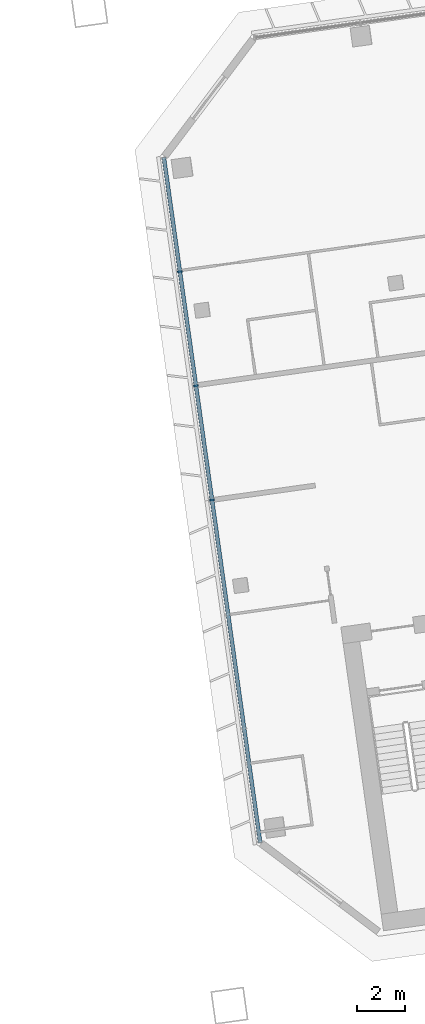
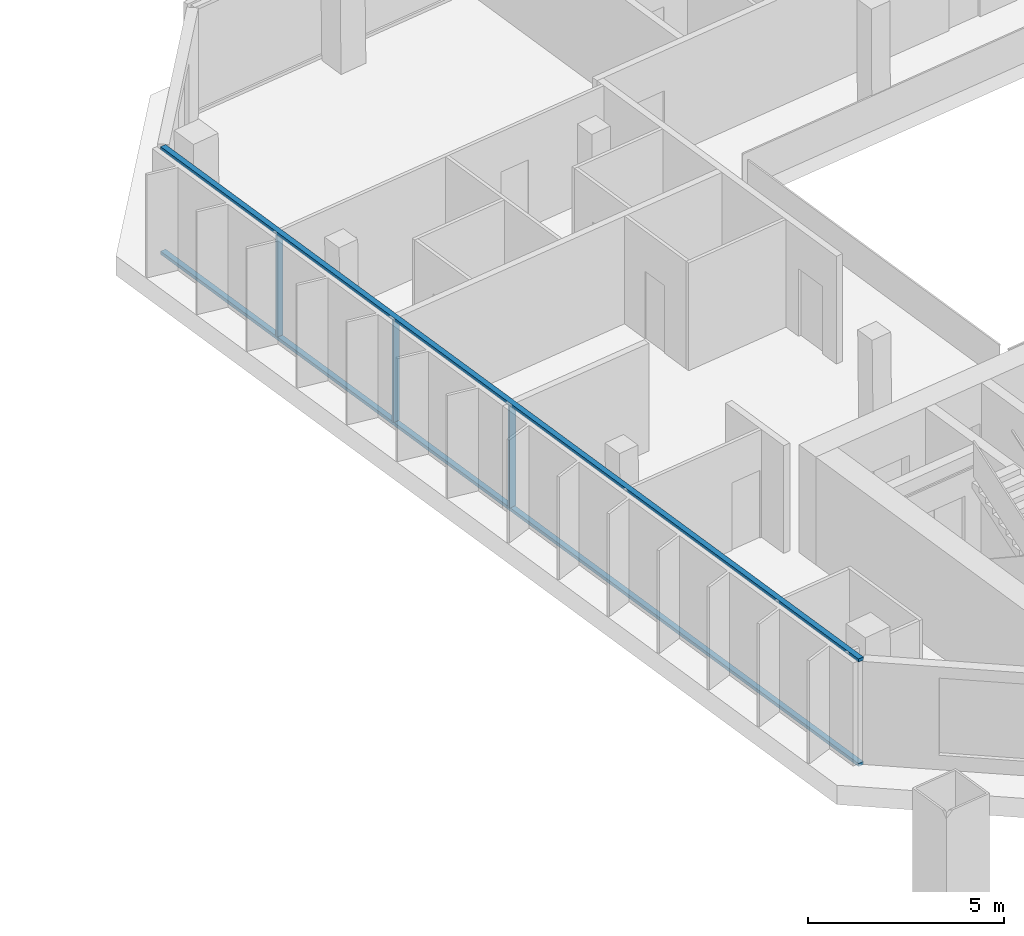
# One storey, part 8 of 31: 5 members, 1 element without a shape of its own.
"""IFC4 building model written with IfcOpenShell, lengths in metres."""

from ifc_helpers import new_model, si_unit, direction, frame, origin, origin_2d, place, context, subcontext, project, spatial, rectangle, extrude, material, material_profile, profile_set, type_object, element, aggregate, save


model = new_model("IFC4")

# Units and contexts
model_context = context("Model", 3, precision=1e-05, world=origin(), true_north=direction((0.0, 1.0)))
body_context = subcontext(model_context, "Body", "Model", "MODEL_VIEW")
ifc_project = project(units=[si_unit("LENGTHUNIT", "METRE"), si_unit("AREAUNIT", "SQUARE_METRE"), si_unit("VOLUMEUNIT", "CUBIC_METRE"), si_unit("PLANEANGLEUNIT", "RADIAN"), si_unit("MASSUNIT", "GRAM", prefix="KILO")], contexts=[model_context])

# Site, building, storey
site_placement = place(None, origin())
site = spatial("IfcSite", under=ifc_project, at=site_placement, CompositionType="ELEMENT")
building_placement = place(site_placement, origin())
building = spatial("IfcBuilding", under=site, at=building_placement, Name="Mirante Cascada Hotel Towers", CompositionType="ELEMENT")
storey_placement = place(building_placement, frame((0.0, 0.0, 157.4)))
storey = spatial("IfcBuildingStorey", under=building, at=storey_placement, Name="L36", CompositionType="ELEMENT", Elevation=157.4)

# Curtain wall, members
ifc_material_1 = material(Name="Aluminium mullion and transom frame with clear laminated glass", Category="aluminium")
curtain_wall_type = type_object("IfcCurtainWallType", Name="End ribbon curtain wall ECW2", PredefinedType="NOTDEFINED", material=ifc_material_1)
curtain_wall_placement = place(storey_placement, origin())
curtain_wall = element("IfcCurtainWall", 1, at=curtain_wall_placement, inside=storey, type_object=curtain_wall_type, Name="Inner end wall T2 L36", PredefinedType="NOTDEFINED")
ifc_material_2 = material(Name="Anodised aluminium extrusion", Category="aluminium")
ifc_material_profile_1 = material_profile(ifc_material_2, rectangle(XDim=0.2, YDim=0.065, at=origin_2d()), Name="ECW2 MULLION 65x200")
ifc_profile_set_1 = profile_set([ifc_material_profile_1], Name="Anodised aluminium extrusion")
member_type_1 = type_object("IfcMemberType", Name="ECW2 mullion 65x200", PredefinedType="MULLION", material=ifc_profile_set_1)
member_1_placement = place(storey_placement, frame((28.7736, 7.5475, 0.1), z_axis=(0.0, 0.0, 1.0), x_axis=(0.9902681, 0.1391731, 0.0)))
member_1 = element("IfcMember", 2, at=member_1_placement, type_object=member_type_1, Name="ECW2 mullion 2", PredefinedType="MULLION", context=body_context, shape_type="SweptSolid", body=[
    extrude(rectangle(XDim=0.2, YDim=0.065, at=origin_2d()), origin(), (0.0, 0.0, 1.0), 3.15),
])
member_2_placement = place(storey_placement, frame((29.4434, 2.7817, 0.1), z_axis=(0.0, 0.0, 1.0), x_axis=(0.9902681, 0.1391731, 0.0)))
member_2 = element("IfcMember", 3, at=member_2_placement, type_object=member_type_1, Name="ECW2 mullion 3", PredefinedType="MULLION", context=body_context, shape_type="SweptSolid", body=[
    extrude(rectangle(XDim=0.2, YDim=0.065, at=origin_2d()), origin(), (0.0, 0.0, 1.0), 3.15),
])
member_3_placement = place(storey_placement, frame((30.1131, -1.9841, 0.1), z_axis=(0.0, 0.0, 1.0), x_axis=(0.9902681, 0.1391731, 0.0)))
member_3 = element("IfcMember", 4, at=member_3_placement, type_object=member_type_1, Name="ECW2 mullion 4", PredefinedType="MULLION", context=body_context, shape_type="SweptSolid", body=[
    extrude(rectangle(XDim=0.2, YDim=0.065, at=origin_2d()), origin(), (0.0, 0.0, 1.0), 3.15),
])
ifc_material_3 = material(Name="Anodised aluminium extrusion", Category="aluminium")
ifc_material_profile_2 = material_profile(ifc_material_3, rectangle(XDim=0.16, YDim=0.1, at=origin_2d()), Name="ECW2 TRANSOM 100x160")
ifc_profile_set_2 = profile_set([ifc_material_profile_2], Name="Anodised aluminium extrusion")
member_type_2 = type_object("IfcMemberType", Name="ECW2 transom 100x160", PredefinedType="USERDEFINED", material=ifc_profile_set_2)
member_4_placement = place(storey_placement, frame((28.1038, 12.3133, 0.05), z_axis=(0.1391718, -0.9902682, 0.0), x_axis=(0.9902682, 0.1391718, 0.0)))
member_4 = element("IfcMember", 5, at=member_4_placement, type_object=member_type_2, Name="ECW2 sill transom", ObjectType="TRANSOM", PredefinedType="USERDEFINED", context=body_context, shape_type="SweptSolid", body=[
    extrude(rectangle(XDim=0.16, YDim=0.1, at=origin_2d()), origin(), (0.0, 0.0, 1.0), 28.8758),
])
member_5_placement = place(storey_placement, frame((28.1038, 12.3133, 3.3), z_axis=(0.1391718, -0.9902682, 0.0), x_axis=(0.9902682, 0.1391718, 0.0)))
member_5 = element("IfcMember", 6, at=member_5_placement, type_object=member_type_2, Name="ECW2 head transom", ObjectType="TRANSOM", PredefinedType="USERDEFINED", context=body_context, shape_type="SweptSolid", body=[
    extrude(rectangle(XDim=0.16, YDim=0.1, at=origin_2d()), origin(), (0.0, 0.0, 1.0), 28.8758),
])
aggregate(curtain_wall, [member_4, member_5, member_1, member_2, member_3])

save(model, "model.ifc")
